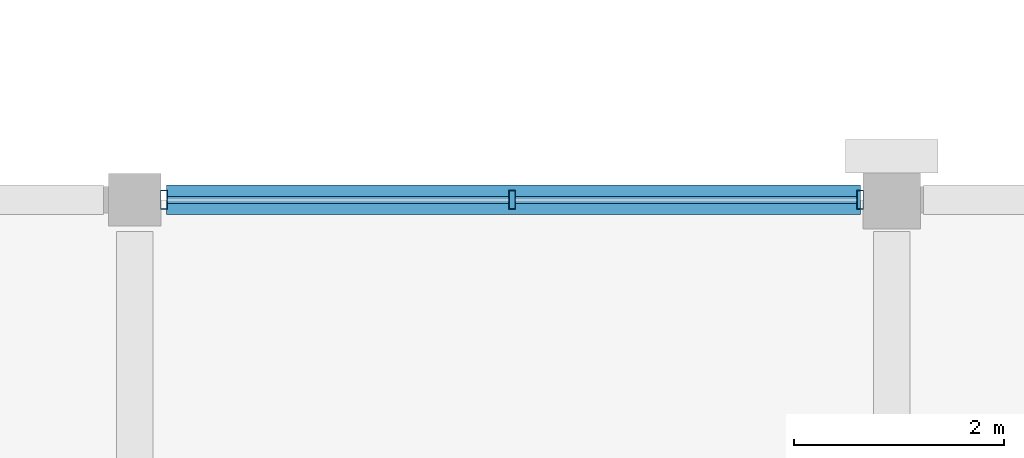
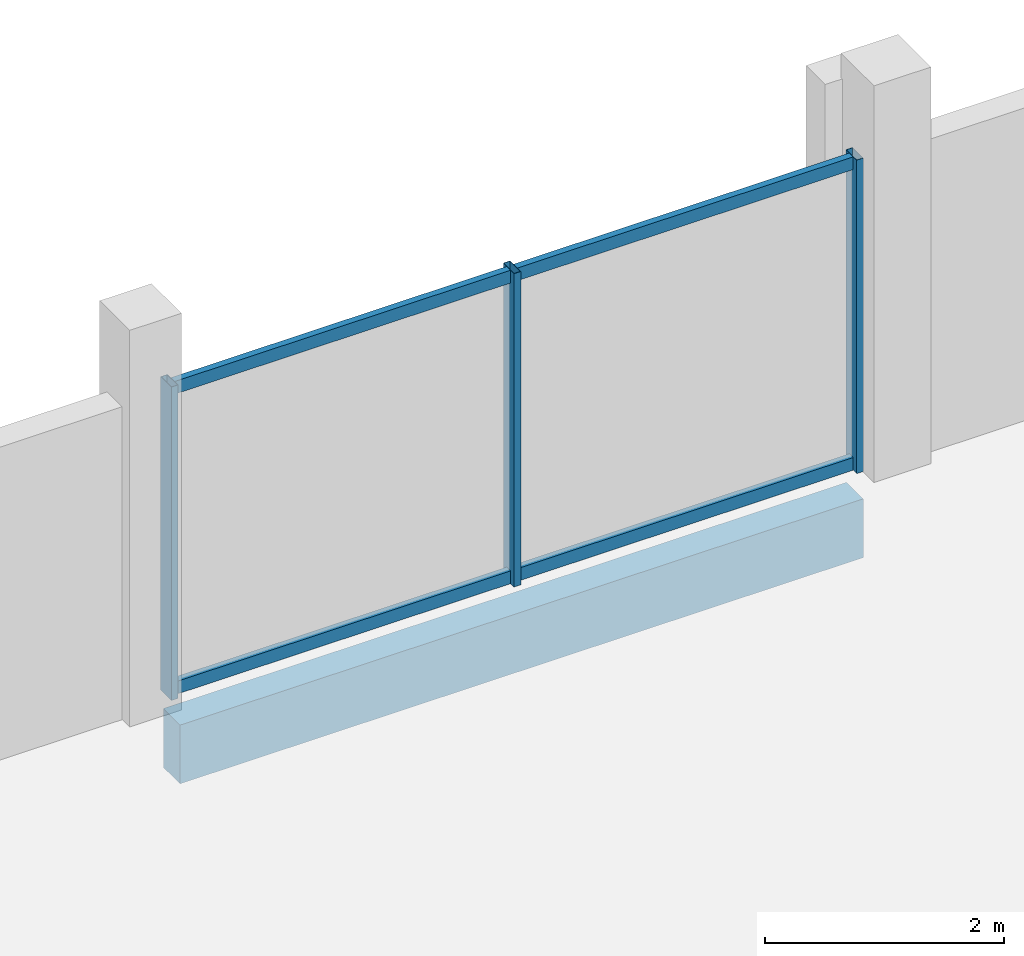
# One storey, part 22 of 91: 7 members, 1 beam, 1 element without a shape of its own.
"""IFC4 building model written with IfcOpenShell, lengths in metres."""

from ifc_helpers import new_model, si_unit, direction, frame, origin, origin_2d, place, context, subcontext, project, spatial, rectangle, hollow_rectangle, extrude, material, layer, layer_set, material_profile, profile_set, type_object, element, aggregate, save


model = new_model("IFC4")

# Units and contexts
model_context = context("Model", 3, precision=1e-05, world=origin(), true_north=direction((0.0, 1.0)))
body_context = subcontext(model_context, "Body", "Model", "MODEL_VIEW")
ifc_project = project(units=[si_unit("LENGTHUNIT", "METRE"), si_unit("AREAUNIT", "SQUARE_METRE"), si_unit("VOLUMEUNIT", "CUBIC_METRE"), si_unit("PLANEANGLEUNIT", "RADIAN"), si_unit("MASSUNIT", "GRAM", prefix="KILO")], contexts=[model_context])

# Site, building, storey
site_placement = place(None, origin())
site = spatial("IfcSite", under=ifc_project, at=site_placement, CompositionType="ELEMENT")
building_placement = place(site_placement, origin())
building = spatial("IfcBuilding", under=site, at=building_placement, Name="Kangsadwip Square Police Headquarters", CompositionType="ELEMENT")
storey_placement = place(building_placement, frame((0.0, 0.0, 13.5)))
storey = spatial("IfcBuildingStorey", under=building, at=storey_placement, Name="L03", CompositionType="ELEMENT", Elevation=13.5)

# Curtain wall, members
ifc_material_1 = material(Name="Thermally broken anodised aluminium AW-6063-T6", Category="aluminium")
ifc_layer = layer(ifc_material_1, 0.159912109375)
ifc_layer_set = layer_set([ifc_layer], Name="Thermally broken anodised aluminium AW-6063-T6")
curtain_wall_type = type_object("IfcCurtainWallType", Name="UnitisedCw6685x3200", PredefinedType="NOTDEFINED", material=ifc_layer_set)
curtain_wall_placement = place(storey_placement, origin())
curtain_wall = element("IfcCurtainWall", 1, at=curtain_wall_placement, inside=storey, type_object=curtain_wall_type, Name="Curtain Wall CW-L03-0074-1152", PredefinedType="NOTDEFINED")
ifc_material_2 = material(Name="Thermally broken anodised aluminium AW-6063-T6", Category="aluminium")
ifc_material_profile_1 = material_profile(ifc_material_2, hollow_rectangle(XDim=0.06494140625, YDim=0.179931640625, WallThickness=0.00390625, at=origin_2d()), Name="CWM 180X65X4")
ifc_profile_set_1 = profile_set([ifc_material_profile_1], Name="Thermally broken anodised aluminium AW-6063-T6")
member_type_1 = type_object("IfcMemberType", Name="CwMullion160x65", PredefinedType="MULLION", material=ifc_profile_set_1)
member_1_placement = place(storey_placement, frame((7.4775390625, 115.199951171875, 0.0), z_axis=(0.0, 0.0, 1.0), x_axis=(1.0, 0.0, 0.0)))
member_1 = element("IfcMember", 2, at=member_1_placement, type_object=member_type_1, Name="CW-23 mullion 1", PredefinedType="MULLION", context=body_context, shape_type="SweptSolid", body=[
    extrude(hollow_rectangle(XDim=0.06494140625, YDim=0.179931640625, WallThickness=0.00390625, at=origin_2d()), origin(), (0.0, 0.0, 1.0), 3.199951171875),
])
member_2_placement = place(storey_placement, frame((10.78759765625, 115.199951171875, 0.0), z_axis=(0.0, 0.0, 1.0), x_axis=(1.0, 0.0, 0.0)))
member_2 = element("IfcMember", 3, at=member_2_placement, type_object=member_type_1, Name="CW-23 mullion 2", PredefinedType="MULLION", context=body_context, shape_type="SweptSolid", body=[
    extrude(hollow_rectangle(XDim=0.06494140625, YDim=0.179931640625, WallThickness=0.00390625, at=origin_2d()), origin(), (0.0, 0.0, 1.0), 3.199951171875),
])
member_3_placement = place(storey_placement, frame((14.097412109375, 115.199951171875, 0.0), z_axis=(0.0, 0.0, 1.0), x_axis=(1.0, 0.0, 0.0)))
member_3 = element("IfcMember", 4, at=member_3_placement, type_object=member_type_1, Name="CW-23 mullion 3", PredefinedType="MULLION", context=body_context, shape_type="SweptSolid", body=[
    extrude(hollow_rectangle(XDim=0.06494140625, YDim=0.179931640625, WallThickness=0.00390625, at=origin_2d()), origin(), (0.0, 0.0, 1.0), 3.199951171875),
])
ifc_material_3 = material(Name="Thermally broken anodised aluminium AW-6063-T6", Category="aluminium")
ifc_material_profile_2 = material_profile(ifc_material_3, hollow_rectangle(XDim=0.06494140625, YDim=0.1298828125, WallThickness=0.00390625, at=origin_2d()), Name="CWT 130X65X4")
ifc_profile_set_2 = profile_set([ifc_material_profile_2], Name="Thermally broken anodised aluminium AW-6063-T6")
member_type_2 = type_object("IfcMemberType", Name="CwTransom140x60", PredefinedType="USERDEFINED", material=ifc_profile_set_2)
member_4_placement = place(storey_placement, frame((7.510009765625, 115.199951171875, 0.06494140625), z_axis=(1.0, 0.0, 0.0), x_axis=(0.0, 1.0, 0.0)))
member_4 = element("IfcMember", 5, at=member_4_placement, type_object=member_type_2, Name="CW-23 transom 1.1", ObjectType="TRANSOM", PredefinedType="USERDEFINED", context=body_context, shape_type="SweptSolid", body=[
    extrude(hollow_rectangle(XDim=0.06494140625, YDim=0.1298828125, WallThickness=0.00390625, at=origin_2d()), origin(), (0.0, 0.0, 1.0), 3.244873046875),
])
member_5_placement = place(storey_placement, frame((7.510009765625, 115.199951171875, 3.135009765625), z_axis=(1.0, 0.0, 0.0), x_axis=(0.0, 1.0, 0.0)))
member_5 = element("IfcMember", 6, at=member_5_placement, type_object=member_type_2, Name="CW-23 transom 1.2", ObjectType="TRANSOM", PredefinedType="USERDEFINED", context=body_context, shape_type="SweptSolid", body=[
    extrude(hollow_rectangle(XDim=0.06494140625, YDim=0.1298828125, WallThickness=0.00390625, at=origin_2d()), origin(), (0.0, 0.0, 1.0), 3.244873046875),
])
member_6_placement = place(storey_placement, frame((10.820068359375, 115.199951171875, 0.06494140625), z_axis=(1.0, 0.0, 0.0), x_axis=(0.0, 1.0, 0.0)))
member_6 = element("IfcMember", 7, at=member_6_placement, type_object=member_type_2, Name="CW-23 transom 2.1", ObjectType="TRANSOM", PredefinedType="USERDEFINED", context=body_context, shape_type="SweptSolid", body=[
    extrude(hollow_rectangle(XDim=0.06494140625, YDim=0.1298828125, WallThickness=0.00390625, at=origin_2d()), origin(), (0.0, 0.0, 1.0), 3.244873046875),
])
member_7_placement = place(storey_placement, frame((10.820068359375, 115.199951171875, 3.135009765625), z_axis=(1.0, 0.0, 0.0), x_axis=(0.0, 1.0, 0.0)))
member_7 = element("IfcMember", 8, at=member_7_placement, type_object=member_type_2, Name="CW-23 transom 2.2", ObjectType="TRANSOM", PredefinedType="USERDEFINED", context=body_context, shape_type="SweptSolid", body=[
    extrude(hollow_rectangle(XDim=0.06494140625, YDim=0.1298828125, WallThickness=0.00390625, at=origin_2d()), origin(), (0.0, 0.0, 1.0), 3.244873046875),
])
aggregate(curtain_wall, [member_1, member_2, member_3, member_4, member_5, member_6, member_7])

# Beam
ifc_material_4 = material(Name="Concrete M40 (40 MPa)", Category="concrete")
ifc_material_profile_3 = material_profile(ifc_material_4, rectangle(XDim=0.280029296875, YDim=0.60009765625, at=origin_2d()), Name="RC SPN 600X280")
ifc_profile_set_3 = profile_set([ifc_material_profile_3], Name="Concrete M40 (40 MPa)")
beam_type = type_object("IfcBeamType", Name="RcSpandrel600x280", PredefinedType="SPANDREL", material=ifc_profile_set_3)
beam_placement = place(storey_placement, frame((7.5, 115.199951171875, -0.5400390625), z_axis=(1.0, 0.0, 0.0), x_axis=(0.0, 1.0, 0.0)))
element("IfcBeam", 9, at=beam_placement, inside=storey, type_object=beam_type, Name="Beam BM-L03-X-01-16", PredefinedType="SPANDREL", context=body_context, shape_type="SweptSolid", body=[
    extrude(rectangle(XDim=0.280029296875, YDim=0.60009765625, at=origin_2d()), origin(), (0.0, 0.0, 1.0), 6.60009765625),
])

save(model, "model.ifc")
